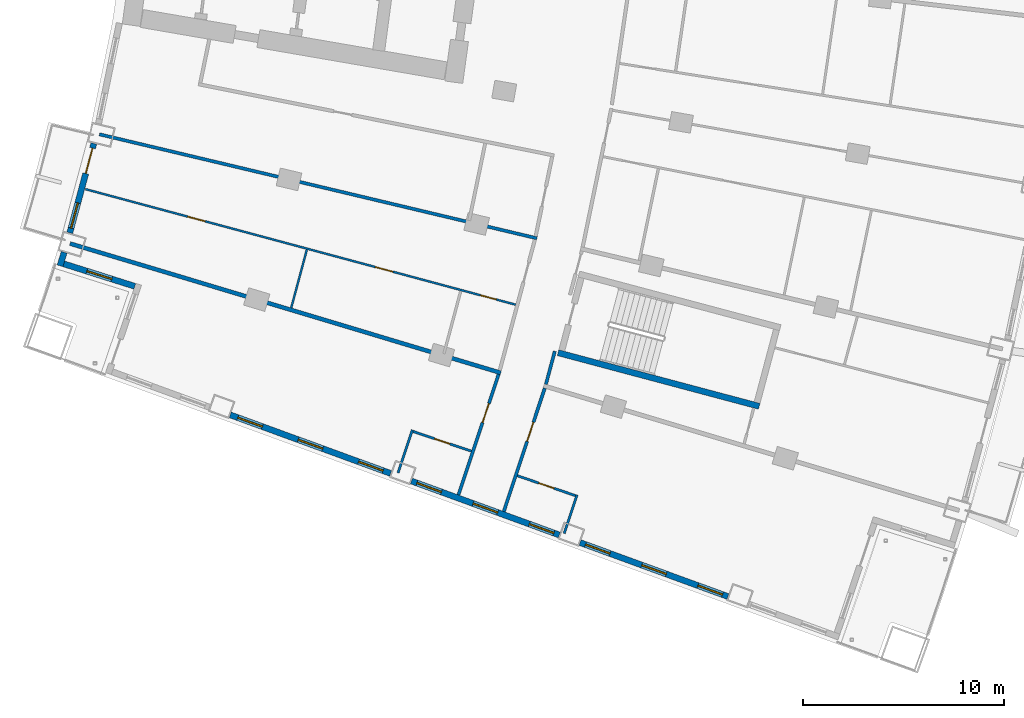
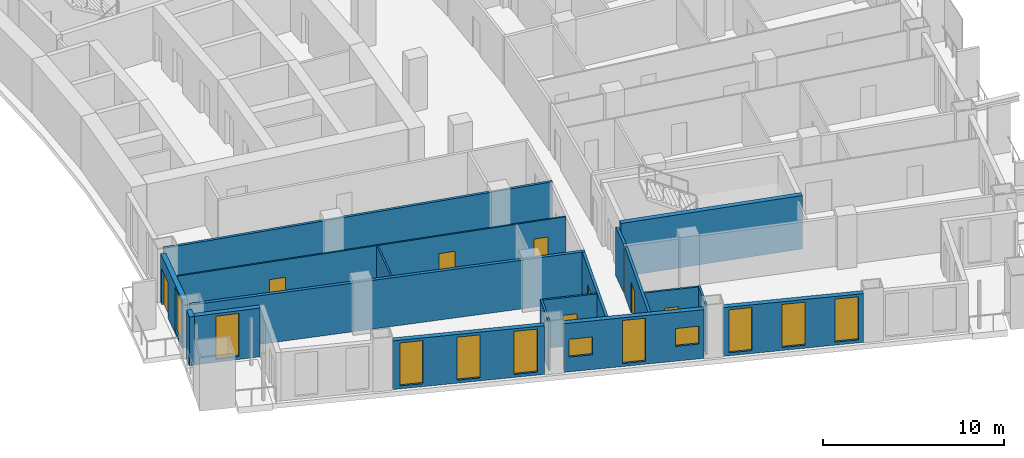
# One storey, part 13 of 25: 18 walls, 11 windows, 8 doors, 19 openings.
"""IFC4 building model written with IfcOpenShell, lengths in metres."""

from ifc_helpers import new_model, si_unit, direction, frame, frame_2d, origin, place, context, subcontext, project, spatial, rectangle, extrude, material, layer, layer_set, type_object, element, fill, save


model = new_model("IFC4")

# Units and contexts
model_context = context("Model", 3, precision=1e-05, world=origin(), true_north=direction((0.0, 1.0)))
body_context = subcontext(model_context, "Body", "Model", "MODEL_VIEW")
ifc_project = project(units=[si_unit("LENGTHUNIT", "METRE"), si_unit("AREAUNIT", "SQUARE_METRE"), si_unit("VOLUMEUNIT", "CUBIC_METRE"), si_unit("PLANEANGLEUNIT", "RADIAN"), si_unit("MASSUNIT", "GRAM", prefix="KILO")], contexts=[model_context])

# Site, building, storey
site_placement = place(None, origin())
site = spatial("IfcSite", under=ifc_project, at=site_placement, CompositionType="ELEMENT")
building_placement = place(site_placement, origin())
building = spatial("IfcBuilding", under=site, at=building_placement, Name="Alderwake Tower", CompositionType="ELEMENT")
storey_placement = place(building_placement, frame((0.0, 0.0, 57.199951171875)))
storey = spatial("IfcBuildingStorey", under=building, at=storey_placement, Name="L13", CompositionType="ELEMENT", Elevation=57.199951171875)

# Walls
ifc_material_1 = material(Name="Concrete C70/85", Category="concrete")
ifc_layer_1 = layer(ifc_material_1, 0.300048828125)
ifc_layer_set_1 = layer_set([ifc_layer_1], Name="Core wall stair enclosure 300 C70-85")
wall_type_1 = type_object("IfcWallType", Name="Core wall stair enclosure 300 C70-85", PredefinedType="SHEAR", material=ifc_layer_set_1)
wall_1_placement = place(storey_placement, frame((36.71142578125, 27.817626953125, 0.0), z_axis=(0.0, 0.0, 1.0), x_axis=(0.966309214305, -0.257383958996, 0.0)))
element("IfcWall", 1, at=wall_1_placement, inside=storey, type_object=wall_type_1, Name="Core wall CW.088", PredefinedType="SHEAR", context=body_context, shape_type="SweptSolid", body=[
    extrude(rectangle(XDim=10.360107421875, YDim=0.300048828125, at=frame_2d((5.18017578125, 0.0))), origin(), (0.0, 0.0, 1.0), 3.60009765625),
])
ifc_material_2 = material(Name="Gypsum board on metal studs, rated")
ifc_layer_2 = layer(ifc_material_2, 0.159912109375)
ifc_layer_set_2 = layer_set([ifc_layer_2], Name="Corridor wall 160")
wall_type_2 = type_object("IfcWallType", Name="Corridor wall 160", PredefinedType="PARTITIONING", material=ifc_layer_set_2)
wall_2_placement = place(storey_placement, frame((13.884033203125, 38.68798828125, 0.0), z_axis=(0.0, 0.0, 1.0), x_axis=(0.972893462073, -0.231253781493, 0.0)))
element("IfcWall", 2, at=wall_2_placement, inside=storey, type_object=wall_type_2, Name="WL/L13/W13", PredefinedType="PARTITIONING", context=body_context, shape_type="SweptSolid", body=[
    extrude(rectangle(XDim=22.38037109375, YDim=0.159912109375, at=frame_2d((11.190185546875, 0.0))), origin(), (0.0, 0.0, 1.0), 3.280029296875),
])

# Wall, opening, door
wall_3_placement = place(storey_placement, frame((31.7548828125, 20.739013671875, 0.0), z_axis=(0.0, 0.0, 1.0), x_axis=(0.31554473692, 0.948910701279, 0.0)))
wall_3 = element("IfcWall", 3, at=wall_3_placement, inside=storey, type_object=wall_type_2, Name="WL/L13/W18", PredefinedType="PARTITIONING", context=body_context, shape_type="SweptSolid", body=[
    extrude(rectangle(XDim=6.327392578125, YDim=0.159912109375, at=frame_2d((3.16357421875, 0.0))), origin(), (0.0, 0.0, 1.0), 3.280029296875),
])
opening_1_placement = place(wall_3_placement, frame((3.799072265625, 0.0, 0.0)))
opening_1 = element("IfcOpeningElement", 4, at=opening_1_placement, cuts=wall_3, Name="Opening R03-U09.1", PredefinedType="OPENING", context=body_context, shape_type="SweptSolid", body=[
    extrude(rectangle(XDim=1.0, YDim=2.10009765625, at=frame_2d((0.5, 1.050048828125))), frame((0.0, 0.08984375, 0.0), z_axis=(0.0, -1.0, 0.0), x_axis=(1.0, 0.0, 0.0)), (0.0, 0.0, 1.0), 0.179931640625),
])
ifc_material_3 = material(Name="Solid timber leaf in steel frame", Category="steel")
door_type_1 = type_object("IfcDoorType", Name="Flat entrance door 1000 fire-rated", OperationType="SINGLE_SWING_LEFT", PredefinedType="DOOR", material=ifc_material_3)
door_1_placement = place(opening_1_placement, origin())
door_1 = element("IfcDoor", 5, at=door_1_placement, inside=storey, type_object=door_type_1, Name="DR/L13/U09.1", OperationType="SINGLE_SWING_LEFT", OverallHeight=2.10009765625, OverallWidth=1.0, PredefinedType="DOOR", context=body_context, shape_type="SweptSolid", body=[
    extrude(rectangle(XDim=1.0, YDim=2.10009765625, at=frame_2d((0.5, 1.050048828125))), frame((0.0, 0.02490234375, 0.0), z_axis=(0.0, -1.0, 0.0), x_axis=(1.0, 0.0, 0.0)), (0.0, 0.0, 1.0), 0.050048828125),
])
fill(opening_1, door_1)

wall_4_placement = place(storey_placement, frame((36.049560546875, 26.052978515625, 0.0), z_axis=(0.0, 0.0, 1.0), x_axis=(-0.315151894598, -0.949041244273, 0.0)))
wall_4 = element("IfcWall", 6, at=wall_4_placement, inside=storey, type_object=wall_type_2, Name="WL/L13/W21", PredefinedType="PARTITIONING", context=body_context, shape_type="SweptSolid", body=[
    extrude(rectangle(XDim=6.468505859375, YDim=0.159912109375, at=frame_2d((3.234375, 0.0))), origin(), (0.0, 0.0, 1.0), 3.280029296875),
])
opening_2_placement = place(wall_4_placement, frame((1.7822265625, 0.0, 0.0)))
opening_2 = element("IfcOpeningElement", 7, at=opening_2_placement, cuts=wall_4, Name="Opening R03-U03.1", PredefinedType="OPENING", context=body_context, shape_type="SweptSolid", body=[
    extrude(rectangle(XDim=1.0, YDim=2.10009765625, at=frame_2d((0.5, 1.050048828125))), frame((0.0, 0.08984375, 0.0), z_axis=(0.0, -1.0, 0.0), x_axis=(1.0, 0.0, 0.0)), (0.0, 0.0, 1.0), 0.179931640625),
])
door_2_placement = place(opening_2_placement, origin())
door_2 = element("IfcDoor", 8, at=door_2_placement, inside=storey, type_object=door_type_1, Name="DR/L13/U03.1", OperationType="SINGLE_SWING_LEFT", OverallHeight=2.10009765625, OverallWidth=1.0, PredefinedType="DOOR", context=body_context, shape_type="SweptSolid", body=[
    extrude(rectangle(XDim=1.0, YDim=2.10009765625, at=frame_2d((0.5, 1.050048828125))), frame((0.0, 0.02490234375, 0.0), z_axis=(0.0, -1.0, 0.0), x_axis=(1.0, 0.0, 0.0)), (0.0, 0.0, 1.0), 0.050048828125),
])
fill(opening_2, door_2)

# Walls
wall_5_placement = place(storey_placement, frame((36.10693359375, 26.24462890625, 0.0), z_axis=(0.0, 0.0, 1.0), x_axis=(0.259346865847, 0.965784242559, 0.0)))
element("IfcWall", 9, at=wall_5_placement, inside=storey, type_object=wall_type_2, Name="WL/L13/W24", PredefinedType="PARTITIONING", context=body_context, shape_type="SweptSolid", body=[
    extrude(rectangle(XDim=1.704833984375, YDim=0.159912109375, at=frame_2d((0.8525390625, 0.0))), origin(), (0.0, 0.0, 1.0), 3.280029296875),
])
ifc_material_4 = material(Name="Precast concrete C50/60 spandrel panel", Category="concrete")
ifc_layer_3 = layer(ifc_material_4, 0.300048828125)
ifc_layer_set_3 = layer_set([ifc_layer_3], Name="External wall EW1 Precast concrete C50/60 spandrel")
wall_type_3 = type_object("IfcWallType", Name="External wall EW1 Precast concrete C50/60 spandrel", PredefinedType="SOLIDWALL", material=ifc_layer_set_3)
wall_6_placement = place(storey_placement, frame((12.1328125, 32.814453125, 0.0), z_axis=(0.0, 0.0, 1.0), x_axis=(-0.294671831364, -0.955598509731, 0.0)))
element("IfcWall", 10, at=wall_6_placement, inside=storey, type_object=wall_type_3, Name="External wall 1", PredefinedType="SOLIDWALL", context=body_context, shape_type="SweptSolid", body=[
    extrude(rectangle(XDim=0.70263671875, YDim=0.300048828125, at=frame_2d((0.351318359375, 0.0))), origin(), (0.0, 0.0, 1.0), 3.280029296875),
])

# Wall, openings, door, window
wall_7_placement = place(storey_placement, frame((13.606689453125, 38.229248046875, 0.0), z_axis=(0.0, 0.0, 1.0), x_axis=(-0.259495671332, -0.965744270788, 0.0)))
wall_7 = element("IfcWall", 11, at=wall_7_placement, inside=storey, type_object=wall_type_3, Name="External wall 36", PredefinedType="SOLIDWALL", context=body_context, shape_type="SweptSolid", body=[
    extrude(rectangle(XDim=4.599609375, YDim=0.300048828125, at=frame_2d((2.2998046875, 0.0))), origin(), (0.0, 0.0, 1.0), 3.280029296875),
])
opening_3_placement = place(wall_7_placement, frame((0.2412109375, 0.0, 0.0)))
opening_3 = element("IfcOpeningElement", 12, at=opening_3_placement, cuts=wall_7, Name="Opening D15", PredefinedType="OPENING", context=body_context, shape_type="SweptSolid", body=[
    extrude(rectangle(XDim=1.300048828125, YDim=2.39990234375, at=frame_2d((0.64990234375, 1.199951171875))), frame((0.0, 0.159912109375, 0.0), z_axis=(0.0, -1.0, 0.0), x_axis=(1.0, 0.0, 0.0)), (0.0, 0.0, 1.0), 0.320068359375),
])
opening_4_placement = place(wall_7_placement, frame((3.058349609375, 0.0, 0.199951171875)))
opening_4 = element("IfcOpeningElement", 13, at=opening_4_placement, cuts=wall_7, Name="Opening W1", PredefinedType="OPENING", context=body_context, shape_type="SweptSolid", body=[
    extrude(rectangle(XDim=1.300048828125, YDim=2.89990234375, at=frame_2d((0.64990234375, 1.449951171875))), frame((0.0, 0.159912109375, 0.0), z_axis=(0.0, -1.0, 0.0), x_axis=(1.0, 0.0, 0.0)), (0.0, 0.0, 1.0), 0.320068359375),
])
ifc_material_5 = material(Name="Bronze tinted glass in aluminium frame", Category="aluminium")
door_type_2 = type_object("IfcDoorType", Name="Balcony door BD sliding", OperationType="SLIDING_TO_LEFT", PredefinedType="DOOR", material=ifc_material_5)
door_3_placement = place(opening_3_placement, origin())
door_3 = element("IfcDoor", 14, at=door_3_placement, inside=storey, type_object=door_type_2, Name="Door D15", OperationType="SLIDING_TO_LEFT", OverallHeight=2.39990234375, OverallWidth=1.300048828125, PredefinedType="DOOR", context=body_context, shape_type="SweptSolid", body=[
    extrude(rectangle(XDim=1.300048828125, YDim=2.39990234375, at=frame_2d((0.64990234375, 1.199951171875))), frame((0.0, 0.02490234375, 0.0), z_axis=(0.0, -1.0, 0.0), x_axis=(1.0, 0.0, 0.0)), (0.0, 0.0, 1.0), 0.050048828125),
])
fill(opening_3, door_3)
ifc_material_6 = material(Name="Bronze tinted glass in aluminium frame", Category="aluminium")
window_type_1 = type_object("IfcWindowType", Name="Window W1 tall fixed and vent", PartitioningType="DOUBLE_PANEL_VERTICAL", PredefinedType="WINDOW", material=ifc_material_6)
window_1_placement = place(opening_4_placement, origin())
window_1 = element("IfcWindow", 15, at=window_1_placement, inside=storey, type_object=window_type_1, Name="Window W1 tall fixed and vent", OverallHeight=2.89990234375, OverallWidth=1.300048828125, PartitioningType="DOUBLE_PANEL_VERTICAL", PredefinedType="WINDOW", context=body_context, shape_type="SweptSolid", body=[
    extrude(rectangle(XDim=1.300048828125, YDim=2.89990234375, at=frame_2d((0.64990234375, 1.449951171875))), frame((0.0, 0.030029296875, 0.0), z_axis=(0.0, -1.0, 0.0), x_axis=(1.0, 0.0, 0.0)), (0.0, 0.0, 1.0), 0.06005859375),
])
fill(opening_4, window_1)

# Wall, opening, window
ifc_material_7 = material(Name="Bronze metal cladding on lightweight framing")
ifc_layer_4 = layer(ifc_material_7, 0.300048828125)
ifc_layer_set_4 = layer_set([ifc_layer_4], Name="External wall EW2 bronze metal cladding")
wall_type_4 = type_object("IfcWallType", Name="External wall EW2 bronze metal cladding", PredefinedType="SOLIDWALL", material=ifc_layer_set_4)
wall_8_placement = place(storey_placement, frame((12.113037109375, 32.2412109375, 0.0), z_axis=(0.0, 0.0, 1.0), x_axis=(0.953458128271, -0.301525451054, 0.0)))
wall_8 = element("IfcWall", 16, at=wall_8_placement, inside=storey, type_object=wall_type_4, Name="External wall 2", PredefinedType="SOLIDWALL", context=body_context, shape_type="SweptSolid", body=[
    extrude(rectangle(XDim=3.705810546875, YDim=0.300048828125, at=frame_2d((1.85302734375, 0.0))), origin(), (0.0, 0.0, 1.0), 3.280029296875),
])
opening_5_placement = place(wall_8_placement, frame((1.202880859375, 0.0, 0.199951171875)))
opening_5 = element("IfcOpeningElement", 17, at=opening_5_placement, cuts=wall_8, Name="Opening W1", PredefinedType="OPENING", context=body_context, shape_type="SweptSolid", body=[
    extrude(rectangle(XDim=1.300048828125, YDim=2.89990234375, at=frame_2d((0.64990234375, 1.449951171875))), frame((0.0, 0.159912109375, 0.0), z_axis=(0.0, -1.0, 0.0), x_axis=(1.0, 0.0, 0.0)), (0.0, 0.0, 1.0), 0.320068359375),
])
window_2_placement = place(opening_5_placement, origin())
window_2 = element("IfcWindow", 18, at=window_2_placement, inside=storey, type_object=window_type_1, Name="Window W1 tall fixed and vent", OverallHeight=2.89990234375, OverallWidth=1.300048828125, PartitioningType="DOUBLE_PANEL_VERTICAL", PredefinedType="WINDOW", context=body_context, shape_type="SweptSolid", body=[
    extrude(rectangle(XDim=1.300048828125, YDim=2.89990234375, at=frame_2d((0.64990234375, 1.449951171875))), frame((0.0, 0.030029296875, 0.0), z_axis=(0.0, -1.0, 0.0), x_axis=(1.0, 0.0, 0.0)), (0.0, 0.0, 1.0), 0.06005859375),
])
fill(opening_5, window_2)

# Wall, openings, windows
wall_9_placement = place(storey_placement, frame((20.398681640625, 24.72412109375, 0.0), z_axis=(0.0, 0.0, 1.0), x_axis=(0.939379066762, -0.342880400328, 0.0)))
wall_9 = element("IfcWall", 19, at=wall_9_placement, inside=storey, type_object=wall_type_4, Name="External wall 5", PredefinedType="SOLIDWALL", context=body_context, shape_type="SweptSolid", body=[
    extrude(rectangle(XDim=8.4951171875, YDim=0.300048828125, at=frame_2d((4.24755859375, 0.0))), origin(), (0.0, 0.0, 1.0), 3.280029296875),
])
opening_6_placement = place(wall_9_placement, frame((0.3974609375, 0.0, 0.199951171875)))
opening_6 = element("IfcOpeningElement", 20, at=opening_6_placement, cuts=wall_9, Name="Opening W1", PredefinedType="OPENING", context=body_context, shape_type="SweptSolid", body=[
    extrude(rectangle(XDim=1.300048828125, YDim=2.89990234375, at=frame_2d((0.64990234375, 1.449951171875))), frame((0.0, 0.159912109375, 0.0), z_axis=(0.0, -1.0, 0.0), x_axis=(1.0, 0.0, 0.0)), (0.0, 0.0, 1.0), 0.320068359375),
])
opening_7_placement = place(wall_9_placement, frame((3.597412109375, 0.0, 0.199951171875)))
opening_7 = element("IfcOpeningElement", 21, at=opening_7_placement, cuts=wall_9, Name="Opening W1", PredefinedType="OPENING", context=body_context, shape_type="SweptSolid", body=[
    extrude(rectangle(XDim=1.300048828125, YDim=2.89990234375, at=frame_2d((0.64990234375, 1.449951171875))), frame((0.0, 0.159912109375, 0.0), z_axis=(0.0, -1.0, 0.0), x_axis=(1.0, 0.0, 0.0)), (0.0, 0.0, 1.0), 0.320068359375),
])
opening_8_placement = place(wall_9_placement, frame((6.797607421875, 0.0, 0.199951171875)))
opening_8 = element("IfcOpeningElement", 22, at=opening_8_placement, cuts=wall_9, Name="Opening W1", PredefinedType="OPENING", context=body_context, shape_type="SweptSolid", body=[
    extrude(rectangle(XDim=1.300048828125, YDim=2.89990234375, at=frame_2d((0.64990234375, 1.449951171875))), frame((0.0, 0.159912109375, 0.0), z_axis=(0.0, -1.0, 0.0), x_axis=(1.0, 0.0, 0.0)), (0.0, 0.0, 1.0), 0.320068359375),
])
window_3_placement = place(opening_6_placement, origin())
window_3 = element("IfcWindow", 23, at=window_3_placement, inside=storey, type_object=window_type_1, Name="Window W1 tall fixed and vent", OverallHeight=2.89990234375, OverallWidth=1.300048828125, PartitioningType="DOUBLE_PANEL_VERTICAL", PredefinedType="WINDOW", context=body_context, shape_type="SweptSolid", body=[
    extrude(rectangle(XDim=1.300048828125, YDim=2.89990234375, at=frame_2d((0.64990234375, 1.449951171875))), frame((0.0, 0.030029296875, 0.0), z_axis=(0.0, -1.0, 0.0), x_axis=(1.0, 0.0, 0.0)), (0.0, 0.0, 1.0), 0.06005859375),
])
fill(opening_6, window_3)
window_4_placement = place(opening_7_placement, origin())
window_4 = element("IfcWindow", 24, at=window_4_placement, inside=storey, type_object=window_type_1, Name="Window W1 tall fixed and vent", OverallHeight=2.89990234375, OverallWidth=1.300048828125, PartitioningType="DOUBLE_PANEL_VERTICAL", PredefinedType="WINDOW", context=body_context, shape_type="SweptSolid", body=[
    extrude(rectangle(XDim=1.300048828125, YDim=2.89990234375, at=frame_2d((0.64990234375, 1.449951171875))), frame((0.0, 0.030029296875, 0.0), z_axis=(0.0, -1.0, 0.0), x_axis=(1.0, 0.0, 0.0)), (0.0, 0.0, 1.0), 0.06005859375),
])
fill(opening_7, window_4)
window_5_placement = place(opening_8_placement, origin())
window_5 = element("IfcWindow", 25, at=window_5_placement, inside=storey, type_object=window_type_1, Name="Window W1 tall fixed and vent", OverallHeight=2.89990234375, OverallWidth=1.300048828125, PartitioningType="DOUBLE_PANEL_VERTICAL", PredefinedType="WINDOW", context=body_context, shape_type="SweptSolid", body=[
    extrude(rectangle(XDim=1.300048828125, YDim=2.89990234375, at=frame_2d((0.64990234375, 1.449951171875))), frame((0.0, 0.030029296875, 0.0), z_axis=(0.0, -1.0, 0.0), x_axis=(1.0, 0.0, 0.0)), (0.0, 0.0, 1.0), 0.06005859375),
])
fill(opening_8, window_5)

wall_10_placement = place(storey_placement, frame((29.416748046875, 21.432373046875, 0.0), z_axis=(0.0, 0.0, 1.0), x_axis=(0.939370235271, -0.34290459473, 0.0)))
wall_10 = element("IfcWall", 26, at=wall_10_placement, inside=storey, type_object=wall_type_4, Name="External wall 6", PredefinedType="SOLIDWALL", context=body_context, shape_type="SweptSolid", body=[
    extrude(rectangle(XDim=7.828857421875, YDim=0.300048828125, at=frame_2d((3.91455078125, 0.0))), origin(), (0.0, 0.0, 1.0), 3.280029296875),
])
opening_9_placement = place(wall_10_placement, frame((0.28662109375, 0.0, 1.0)))
opening_9 = element("IfcOpeningElement", 27, at=opening_9_placement, cuts=wall_10, Name="Opening W2", PredefinedType="OPENING", context=body_context, shape_type="SweptSolid", body=[
    extrude(rectangle(XDim=1.300048828125, YDim=1.199951171875, at=frame_2d((0.64990234375, 0.60009765625))), frame((0.0, 0.159912109375, 0.0), z_axis=(0.0, -1.0, 0.0), x_axis=(1.0, 0.0, 0.0)), (0.0, 0.0, 1.0), 0.320068359375),
])
opening_10_placement = place(wall_10_placement, frame((3.264404296875, 0.0, 0.199951171875)))
opening_10 = element("IfcOpeningElement", 28, at=opening_10_placement, cuts=wall_10, Name="Opening W1", PredefinedType="OPENING", context=body_context, shape_type="SweptSolid", body=[
    extrude(rectangle(XDim=1.300048828125, YDim=2.89990234375, at=frame_2d((0.64990234375, 1.449951171875))), frame((0.0, 0.159912109375, 0.0), z_axis=(0.0, -1.0, 0.0), x_axis=(1.0, 0.0, 0.0)), (0.0, 0.0, 1.0), 0.320068359375),
])
opening_11_placement = place(wall_10_placement, frame((6.2421875, 0.0, 1.0)))
opening_11 = element("IfcOpeningElement", 29, at=opening_11_placement, cuts=wall_10, Name="Opening W2", PredefinedType="OPENING", context=body_context, shape_type="SweptSolid", body=[
    extrude(rectangle(XDim=1.300048828125, YDim=1.199951171875, at=frame_2d((0.64990234375, 0.60009765625))), frame((0.0, 0.159912109375, 0.0), z_axis=(0.0, -1.0, 0.0), x_axis=(1.0, 0.0, 0.0)), (0.0, 0.0, 1.0), 0.320068359375),
])
window_6_placement = place(opening_10_placement, origin())
window_6 = element("IfcWindow", 30, at=window_6_placement, inside=storey, type_object=window_type_1, Name="Window W1 tall fixed and vent", OverallHeight=2.89990234375, OverallWidth=1.300048828125, PartitioningType="DOUBLE_PANEL_VERTICAL", PredefinedType="WINDOW", context=body_context, shape_type="SweptSolid", body=[
    extrude(rectangle(XDim=1.300048828125, YDim=2.89990234375, at=frame_2d((0.64990234375, 1.449951171875))), frame((0.0, 0.030029296875, 0.0), z_axis=(0.0, -1.0, 0.0), x_axis=(1.0, 0.0, 0.0)), (0.0, 0.0, 1.0), 0.06005859375),
])
fill(opening_10, window_6)
ifc_material_8 = material(Name="Bronze tinted glass in aluminium frame", Category="aluminium")
window_type_2 = type_object("IfcWindowType", Name="Window W2 kitchen and bath", PartitioningType="SINGLE_PANEL", PredefinedType="WINDOW", material=ifc_material_8)
window_7_placement = place(opening_9_placement, origin())
window_7 = element("IfcWindow", 31, at=window_7_placement, inside=storey, type_object=window_type_2, Name="Window W2 kitchen and bath", OverallHeight=1.199951171875, OverallWidth=1.300048828125, PartitioningType="SINGLE_PANEL", PredefinedType="WINDOW", context=body_context, shape_type="SweptSolid", body=[
    extrude(rectangle(XDim=1.300048828125, YDim=1.199951171875, at=frame_2d((0.64990234375, 0.60009765625))), frame((0.0, 0.030029296875, 0.0), z_axis=(0.0, -1.0, 0.0), x_axis=(1.0, 0.0, 0.0)), (0.0, 0.0, 1.0), 0.06005859375),
])
fill(opening_9, window_7)
window_8_placement = place(opening_11_placement, origin())
window_8 = element("IfcWindow", 32, at=window_8_placement, inside=storey, type_object=window_type_2, Name="Window W2 kitchen and bath", OverallHeight=1.199951171875, OverallWidth=1.300048828125, PartitioningType="SINGLE_PANEL", PredefinedType="WINDOW", context=body_context, shape_type="SweptSolid", body=[
    extrude(rectangle(XDim=1.300048828125, YDim=1.199951171875, at=frame_2d((0.64990234375, 0.60009765625))), frame((0.0, 0.030029296875, 0.0), z_axis=(0.0, -1.0, 0.0), x_axis=(1.0, 0.0, 0.0)), (0.0, 0.0, 1.0), 0.06005859375),
])
fill(opening_11, window_8)

wall_11_placement = place(storey_placement, frame((37.808349609375, 18.369140625, 0.0), z_axis=(0.0, 0.0, 1.0), x_axis=(0.939377568192, -0.342884505887, 0.0)))
wall_11 = element("IfcWall", 33, at=wall_11_placement, inside=storey, type_object=wall_type_4, Name="External wall 7", PredefinedType="SOLIDWALL", context=body_context, shape_type="SweptSolid", body=[
    extrude(rectangle(XDim=7.829345703125, YDim=0.300048828125, at=frame_2d((3.91455078125, 0.0))), origin(), (0.0, 0.0, 1.0), 3.280029296875),
])
opening_12_placement = place(wall_11_placement, frame((0.286865234375, 0.0, 0.199951171875)))
opening_12 = element("IfcOpeningElement", 34, at=opening_12_placement, cuts=wall_11, Name="Opening W1", PredefinedType="OPENING", context=body_context, shape_type="SweptSolid", body=[
    extrude(rectangle(XDim=1.300048828125, YDim=2.89990234375, at=frame_2d((0.64990234375, 1.449951171875))), frame((0.0, 0.159912109375, 0.0), z_axis=(0.0, -1.0, 0.0), x_axis=(1.0, 0.0, 0.0)), (0.0, 0.0, 1.0), 0.320068359375),
])
opening_13_placement = place(wall_11_placement, frame((3.2646484375, 0.0, 0.199951171875)))
opening_13 = element("IfcOpeningElement", 35, at=opening_13_placement, cuts=wall_11, Name="Opening W1", PredefinedType="OPENING", context=body_context, shape_type="SweptSolid", body=[
    extrude(rectangle(XDim=1.300048828125, YDim=2.89990234375, at=frame_2d((0.64990234375, 1.449951171875))), frame((0.0, 0.159912109375, 0.0), z_axis=(0.0, -1.0, 0.0), x_axis=(1.0, 0.0, 0.0)), (0.0, 0.0, 1.0), 0.320068359375),
])
opening_14_placement = place(wall_11_placement, frame((6.242431640625, 0.0, 0.199951171875)))
opening_14 = element("IfcOpeningElement", 36, at=opening_14_placement, cuts=wall_11, Name="Opening W1", PredefinedType="OPENING", context=body_context, shape_type="SweptSolid", body=[
    extrude(rectangle(XDim=1.300048828125, YDim=2.89990234375, at=frame_2d((0.64990234375, 1.449951171875))), frame((0.0, 0.159912109375, 0.0), z_axis=(0.0, -1.0, 0.0), x_axis=(1.0, 0.0, 0.0)), (0.0, 0.0, 1.0), 0.320068359375),
])
window_9_placement = place(opening_12_placement, origin())
window_9 = element("IfcWindow", 37, at=window_9_placement, inside=storey, type_object=window_type_1, Name="Window W1 tall fixed and vent", OverallHeight=2.89990234375, OverallWidth=1.300048828125, PartitioningType="DOUBLE_PANEL_VERTICAL", PredefinedType="WINDOW", context=body_context, shape_type="SweptSolid", body=[
    extrude(rectangle(XDim=1.300048828125, YDim=2.89990234375, at=frame_2d((0.64990234375, 1.449951171875))), frame((0.0, 0.030029296875, 0.0), z_axis=(0.0, -1.0, 0.0), x_axis=(1.0, 0.0, 0.0)), (0.0, 0.0, 1.0), 0.06005859375),
])
fill(opening_12, window_9)
window_10_placement = place(opening_13_placement, origin())
window_10 = element("IfcWindow", 38, at=window_10_placement, inside=storey, type_object=window_type_1, Name="Window W1 tall fixed and vent", OverallHeight=2.89990234375, OverallWidth=1.300048828125, PartitioningType="DOUBLE_PANEL_VERTICAL", PredefinedType="WINDOW", context=body_context, shape_type="SweptSolid", body=[
    extrude(rectangle(XDim=1.300048828125, YDim=2.89990234375, at=frame_2d((0.64990234375, 1.449951171875))), frame((0.0, 0.030029296875, 0.0), z_axis=(0.0, -1.0, 0.0), x_axis=(1.0, 0.0, 0.0)), (0.0, 0.0, 1.0), 0.06005859375),
])
fill(opening_13, window_10)
window_11_placement = place(opening_14_placement, origin())
window_11 = element("IfcWindow", 39, at=window_11_placement, inside=storey, type_object=window_type_1, Name="Window W1 tall fixed and vent", OverallHeight=2.89990234375, OverallWidth=1.300048828125, PartitioningType="DOUBLE_PANEL_VERTICAL", PredefinedType="WINDOW", context=body_context, shape_type="SweptSolid", body=[
    extrude(rectangle(XDim=1.300048828125, YDim=2.89990234375, at=frame_2d((0.64990234375, 1.449951171875))), frame((0.0, 0.030029296875, 0.0), z_axis=(0.0, -1.0, 0.0), x_axis=(1.0, 0.0, 0.0)), (0.0, 0.0, 1.0), 0.06005859375),
])
fill(opening_14, window_11)

# Wall
ifc_material_9 = material(Name="Dense block masonry wall", Category="masonry")
ifc_layer_5 = layer(ifc_material_9, 0.199951171875)
ifc_layer_set_5 = layer_set([ifc_layer_5], Name="Party wall 200")
wall_type_5 = type_object("IfcWallType", Name="Party wall 200", PredefinedType="SOLIDWALL", material=ifc_layer_set_5)
wall_12_placement = place(storey_placement, frame((33.859619140625, 26.81494140625, 0.0), z_axis=(0.0, 0.0, 1.0), x_axis=(-0.95775179957, 0.287596054251, 0.0)))
element("IfcWall", 40, at=wall_12_placement, inside=storey, type_object=wall_type_5, Name="WL/L13/W01", PredefinedType="SOLIDWALL", context=body_context, shape_type="SweptSolid", body=[
    extrude(rectangle(XDim=22.382080078125, YDim=0.199951171875, at=frame_2d((11.19091796875, 0.0))), origin(), (0.0, 0.0, 1.0), 3.280029296875),
])

# Wall, openings, doors
ifc_material_10 = material(Name="Gypsum board on metal studs")
ifc_layer_6 = layer(ifc_material_10, 0.10009765625)
ifc_layer_set_6 = layer_set([ifc_layer_6], Name="Unit partition 100")
wall_type_6 = type_object("IfcWallType", Name="Unit partition 100", PredefinedType="PARTITIONING", material=ifc_layer_set_6)
wall_13_placement = place(storey_placement, frame((34.605712890625, 30.206787109375, 0.0), z_axis=(0.0, 0.0, 1.0), x_axis=(-0.965767846078, 0.259407917152, 0.0)))
wall_13 = element("IfcWall", 41, at=wall_13_placement, inside=storey, type_object=wall_type_6, Name="WL/L13/W64", PredefinedType="PARTITIONING", context=body_context, shape_type="SweptSolid", body=[
    extrude(rectangle(XDim=22.170654296875, YDim=0.10009765625, at=frame_2d((11.08544921875, 0.0))), origin(), (0.0, 0.0, 1.0), 3.280029296875),
])
opening_15_placement = place(wall_13_placement, frame((6.335205078125, 0.0, 0.0)))
opening_15 = element("IfcOpeningElement", 42, at=opening_15_placement, cuts=wall_13, Name="Opening R03-U10.1", PredefinedType="OPENING", context=body_context, shape_type="SweptSolid", body=[
    extrude(rectangle(XDim=0.89990234375, YDim=2.10009765625, at=frame_2d((0.449951171875, 1.050048828125))), frame((0.0, 0.06005859375, 0.0), z_axis=(0.0, -1.0, 0.0), x_axis=(1.0, 0.0, 0.0)), (0.0, 0.0, 1.0), 0.1201171875),
])
opening_16_placement = place(wall_13_placement, frame((1.010009765625, 0.0, 0.0)))
opening_16 = element("IfcOpeningElement", 43, at=opening_16_placement, cuts=wall_13, Name="Opening R03-U10.3", PredefinedType="OPENING", context=body_context, shape_type="SweptSolid", body=[
    extrude(rectangle(XDim=0.800048828125, YDim=2.10009765625, at=frame_2d((0.39990234375, 1.050048828125))), frame((0.0, 0.06005859375, 0.0), z_axis=(0.0, -1.0, 0.0), x_axis=(1.0, 0.0, 0.0)), (0.0, 0.0, 1.0), 0.1201171875),
])
opening_17_placement = place(wall_13_placement, frame((16.010498046875, 0.0, 0.0)))
opening_17 = element("IfcOpeningElement", 44, at=opening_17_placement, cuts=wall_13, Name="Opening R03-U10.4", PredefinedType="OPENING", context=body_context, shape_type="SweptSolid", body=[
    extrude(rectangle(XDim=0.89990234375, YDim=2.10009765625, at=frame_2d((0.449951171875, 1.050048828125))), frame((0.0, 0.06005859375, 0.0), z_axis=(0.0, -1.0, 0.0), x_axis=(1.0, 0.0, 0.0)), (0.0, 0.0, 1.0), 0.1201171875),
])
ifc_material_11 = material(Name="Painted timber leaf", Category="wood")
door_type_3 = type_object("IfcDoorType", Name="Bathroom door 800", OperationType="SINGLE_SWING_LEFT", PredefinedType="DOOR", material=ifc_material_11)
door_4_placement = place(opening_16_placement, origin())
door_4 = element("IfcDoor", 45, at=door_4_placement, inside=storey, type_object=door_type_3, Name="DR/L13/U10.3", OperationType="SINGLE_SWING_LEFT", OverallHeight=2.10009765625, OverallWidth=0.800048828125, PredefinedType="DOOR", context=body_context, shape_type="SweptSolid", body=[
    extrude(rectangle(XDim=0.800048828125, YDim=2.10009765625, at=frame_2d((0.39990234375, 1.050048828125))), frame((0.0, 0.02490234375, 0.0), z_axis=(0.0, -1.0, 0.0), x_axis=(1.0, 0.0, 0.0)), (0.0, 0.0, 1.0), 0.050048828125),
])
fill(opening_16, door_4)
ifc_material_12 = material(Name="Painted timber leaf", Category="wood")
door_type_4 = type_object("IfcDoorType", Name="Room door 900", OperationType="SINGLE_SWING_LEFT", PredefinedType="DOOR", material=ifc_material_12)
door_5_placement = place(opening_15_placement, origin())
door_5 = element("IfcDoor", 46, at=door_5_placement, inside=storey, type_object=door_type_4, Name="DR/L13/U10.1", OperationType="SINGLE_SWING_LEFT", OverallHeight=2.10009765625, OverallWidth=0.89990234375, PredefinedType="DOOR", context=body_context, shape_type="SweptSolid", body=[
    extrude(rectangle(XDim=0.89990234375, YDim=2.10009765625, at=frame_2d((0.449951171875, 1.050048828125))), frame((0.0, 0.02490234375, 0.0), z_axis=(0.0, -1.0, 0.0), x_axis=(1.0, 0.0, 0.0)), (0.0, 0.0, 1.0), 0.050048828125),
])
fill(opening_15, door_5)
door_6_placement = place(opening_17_placement, origin())
door_6 = element("IfcDoor", 47, at=door_6_placement, inside=storey, type_object=door_type_4, Name="DR/L13/U10.4", OperationType="SINGLE_SWING_LEFT", OverallHeight=2.10009765625, OverallWidth=0.89990234375, PredefinedType="DOOR", context=body_context, shape_type="SweptSolid", body=[
    extrude(rectangle(XDim=0.89990234375, YDim=2.10009765625, at=frame_2d((0.449951171875, 1.050048828125))), frame((0.0, 0.02490234375, 0.0), z_axis=(0.0, -1.0, 0.0), x_axis=(1.0, 0.0, 0.0)), (0.0, 0.0, 1.0), 0.050048828125),
])
fill(opening_17, door_6)

# Walls
wall_14_placement = place(storey_placement, frame((24.208984375, 32.94580078125, 0.0), z_axis=(0.0, 0.0, 1.0), x_axis=(-0.259310212645, -0.965794084481, 0.0)))
element("IfcWall", 48, at=wall_14_placement, inside=storey, type_object=wall_type_6, Name="WL/L13/W65", PredefinedType="PARTITIONING", context=body_context, shape_type="SweptSolid", body=[
    extrude(rectangle(XDim=2.996826171875, YDim=0.10009765625, at=frame_2d((1.49853515625, 0.0))), origin(), (0.0, 0.0, 1.0), 3.280029296875),
])
ifc_material_13 = material(Name="Moisture resistant gypsum board on metal studs")
ifc_layer_7 = layer(ifc_material_13, 0.1201171875)
ifc_layer_set_7 = layer_set([ifc_layer_7], Name="Wet room partition 120")
wall_type_7 = type_object("IfcWallType", Name="Wet room partition 120", PredefinedType="PARTITIONING", material=ifc_layer_set_7)
wall_15_placement = place(storey_placement, frame((29.4609375, 23.975830078125, 0.0), z_axis=(0.0, 0.0, 1.0), x_axis=(-0.31580536125, -0.948823995168, 0.0)))
element("IfcWall", 49, at=wall_15_placement, inside=storey, type_object=wall_type_7, Name="WL/L13/W43", PredefinedType="PARTITIONING", context=body_context, shape_type="SweptSolid", body=[
    extrude(rectangle(XDim=2.25439453125, YDim=0.1201171875, at=frame_2d((1.127197265625, 0.0))), origin(), (0.0, 0.0, 1.0), 3.280029296875),
])

# Wall, opening, door
wall_16_placement = place(storey_placement, frame((32.396240234375, 22.918701171875, 0.0), z_axis=(0.0, 0.0, 1.0), x_axis=(-0.947164130145, 0.320749295505, 0.0)))
wall_16 = element("IfcWall", 50, at=wall_16_placement, inside=storey, type_object=wall_type_7, Name="WL/L13/W47", PredefinedType="PARTITIONING", context=body_context, shape_type="SweptSolid", body=[
    extrude(rectangle(XDim=3.05908203125, YDim=0.1201171875, at=frame_2d((1.529541015625, 0.0))), origin(), (0.0, 0.0, 1.0), 3.280029296875),
])
opening_18_placement = place(wall_16_placement, frame((1.12939453125, 0.0, 0.0)))
opening_18 = element("IfcOpeningElement", 51, at=opening_18_placement, cuts=wall_16, Name="Opening R03-U09.2", PredefinedType="OPENING", context=body_context, shape_type="SweptSolid", body=[
    extrude(rectangle(XDim=0.800048828125, YDim=2.10009765625, at=frame_2d((0.39990234375, 1.050048828125))), frame((0.0, 0.070068359375, 0.0), z_axis=(0.0, -1.0, 0.0), x_axis=(1.0, 0.0, 0.0)), (0.0, 0.0, 1.0), 0.14013671875),
])
door_7_placement = place(opening_18_placement, origin())
door_7 = element("IfcDoor", 52, at=door_7_placement, inside=storey, type_object=door_type_3, Name="DR/L13/U09.2", OperationType="SINGLE_SWING_LEFT", OverallHeight=2.10009765625, OverallWidth=0.800048828125, PredefinedType="DOOR", context=body_context, shape_type="SweptSolid", body=[
    extrude(rectangle(XDim=0.800048828125, YDim=2.10009765625, at=frame_2d((0.39990234375, 1.050048828125))), frame((0.0, 0.02490234375, 0.0), z_axis=(0.0, -1.0, 0.0), x_axis=(1.0, 0.0, 0.0)), (0.0, 0.0, 1.0), 0.050048828125),
])
fill(opening_18, door_7)

# Wall
wall_17_placement = place(storey_placement, frame((37.01708984375, 18.819091796875, 0.0), z_axis=(0.0, 0.0, 1.0), x_axis=(0.314346849319, 0.949308199861, 0.0)))
element("IfcWall", 53, at=wall_17_placement, inside=storey, type_object=wall_type_7, Name="WL/L13/W49", PredefinedType="PARTITIONING", context=body_context, shape_type="SweptSolid", body=[
    extrude(rectangle(XDim=2.025634765625, YDim=0.1201171875, at=frame_2d((1.0126953125, 0.0))), origin(), (0.0, 0.0, 1.0), 3.280029296875),
])

# Wall, opening, door
wall_18_placement = place(storey_placement, frame((37.578125, 20.70458984375, 0.0), z_axis=(0.0, 0.0, 1.0), x_axis=(-0.945834581723, 0.324648955054, 0.0)))
wall_18 = element("IfcWall", 54, at=wall_18_placement, inside=storey, type_object=wall_type_7, Name="WL/L13/W50", PredefinedType="PARTITIONING", context=body_context, shape_type="SweptSolid", body=[
    extrude(rectangle(XDim=3.056884765625, YDim=0.1201171875, at=frame_2d((1.5283203125, 0.0))), origin(), (0.0, 0.0, 1.0), 3.280029296875),
])
opening_19_placement = place(wall_18_placement, frame((1.128662109375, 0.0, 0.0)))
opening_19 = element("IfcOpeningElement", 55, at=opening_19_placement, cuts=wall_18, Name="Opening R03-U03.2", PredefinedType="OPENING", context=body_context, shape_type="SweptSolid", body=[
    extrude(rectangle(XDim=0.800048828125, YDim=2.10009765625, at=frame_2d((0.39990234375, 1.050048828125))), frame((0.0, 0.070068359375, 0.0), z_axis=(0.0, -1.0, 0.0), x_axis=(1.0, 0.0, 0.0)), (0.0, 0.0, 1.0), 0.14013671875),
])
door_8_placement = place(opening_19_placement, origin())
door_8 = element("IfcDoor", 56, at=door_8_placement, inside=storey, type_object=door_type_3, Name="DR/L13/U03.2", OperationType="SINGLE_SWING_LEFT", OverallHeight=2.10009765625, OverallWidth=0.800048828125, PredefinedType="DOOR", context=body_context, shape_type="SweptSolid", body=[
    extrude(rectangle(XDim=0.800048828125, YDim=2.10009765625, at=frame_2d((0.39990234375, 1.050048828125))), frame((0.0, 0.02490234375, 0.0), z_axis=(0.0, -1.0, 0.0), x_axis=(1.0, 0.0, 0.0)), (0.0, 0.0, 1.0), 0.050048828125),
])
fill(opening_19, door_8)

save(model, "model.ifc")
